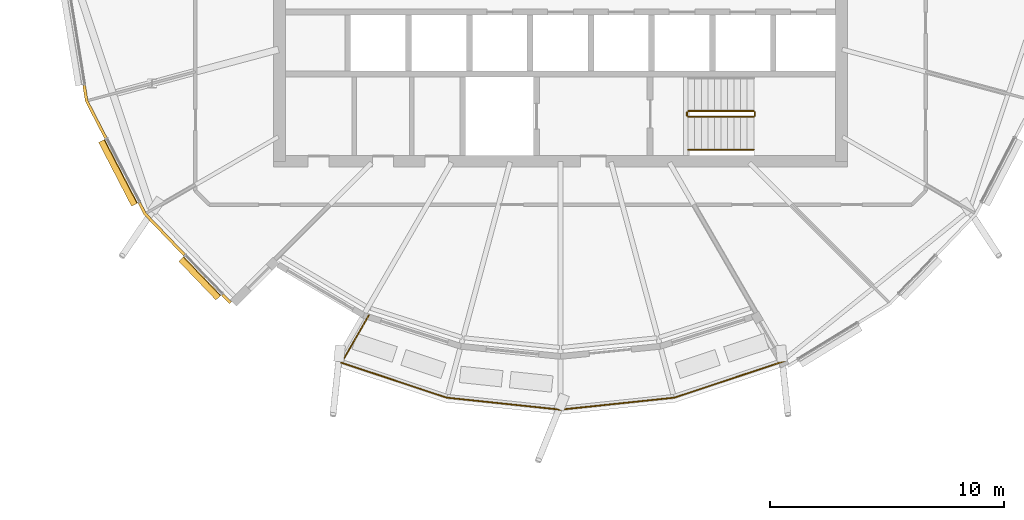
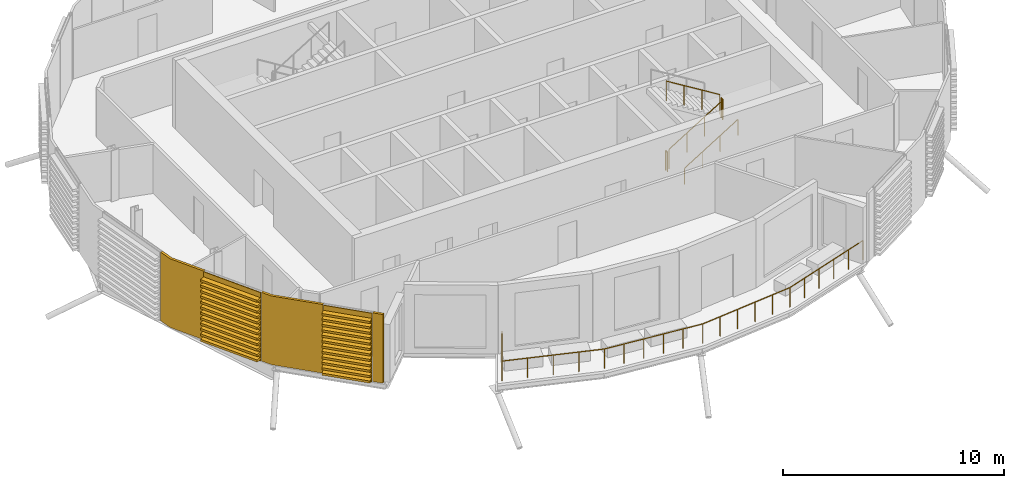
# One storey, part 34 of 41: 6 railings, 5 coverings.
"""IFC4 building model written with IfcOpenShell, lengths in metres."""

from ifc_helpers import new_model, si_unit, direction, frame, origin, origin_2d, place, context, subcontext, project, spatial, polyline, circle, outline, extrude, material, layer, layer_set, material_profile, profile_set, type_object, element, save


model = new_model("IFC4")

# Units and contexts
model_context = context("Model", 3, precision=1e-05, world=origin(), true_north=direction((0.0, 1.0)))
body_context = subcontext(model_context, "Body", "Model", "MODEL_VIEW")
ifc_project = project(units=[si_unit("LENGTHUNIT", "METRE"), si_unit("AREAUNIT", "SQUARE_METRE"), si_unit("VOLUMEUNIT", "CUBIC_METRE"), si_unit("PLANEANGLEUNIT", "RADIAN"), si_unit("MASSUNIT", "GRAM", prefix="KILO")], contexts=[model_context])

# Site, building, storey
site_placement = place(None, origin())
site = spatial("IfcSite", under=ifc_project, at=site_placement, CompositionType="ELEMENT")
building_placement = place(site_placement, origin())
building = spatial("IfcBuilding", under=site, at=building_placement, Name="Rimbun Link Towers", CompositionType="ELEMENT")
storey_placement = place(building_placement, frame((0.0, 0.0, 210.5)))
storey = spatial("IfcBuildingStorey", under=building, at=storey_placement, Name="L51", CompositionType="ELEMENT", Elevation=210.5)

# Railing
ifc_material_1 = material(Name="Stainless steel grade 316", Category="steel")
railing_type_1 = type_object("IfcRailingType", Name="GUARD stainless rail and posts", PredefinedType="GUARDRAIL", material=ifc_material_1)
railing_1_placement = place(storey_placement, frame((-39.926513671875, -14.56201171875, 0.0)))
element("IfcRailing", 1, at=railing_1_placement, inside=storey, type_object=railing_type_1, Name="GUARD", PredefinedType="GUARDRAIL", context=body_context, shape_type="SweptSolid", body=[
    extrude(circle(Radius=0.02392578125, at=origin_2d()), frame((0.0, 0.0, 1.076171875), z_axis=(-0.499997709859, -0.866026725994, 0.0), x_axis=(0.866026725994, -0.499997709859, 0.0)), (0.0, 0.0, 1.0), 2.3544921875),
    extrude(circle(Radius=0.02392578125, at=origin_2d()), frame((-1.17724609375, -2.0390625, 1.076171875), z_axis=(0.949233375483, -0.314572724293, 0.0), x_axis=(0.314572724293, 0.949233375483, 0.0)), (0.0, 0.0, 1.0), 4.736572265625),
    extrude(circle(Radius=0.02392578125, at=origin_2d()), frame((3.31884765625, -3.529052734375, 1.076171875), z_axis=(0.994502439864, -0.104713404609, 0.0), x_axis=(0.104713404609, 0.994502439864, 0.0)), (0.0, 0.0, 1.0), 4.884521484375),
    extrude(circle(Radius=0.02392578125, at=origin_2d()), frame((8.176513671875, -4.04052734375, 1.076171875), z_axis=(0.994502439864, 0.104713404609, 0.0), x_axis=(-0.104713404609, 0.994502439864, 0.0)), (0.0, 0.0, 1.0), 4.884521484375),
    extrude(circle(Radius=0.02392578125, at=origin_2d()), frame((13.0341796875, -3.529052734375, 1.076171875), z_axis=(0.949235605079, 0.314565996335, 0.0), x_axis=(-0.314565996335, 0.949235605079, 0.0)), (0.0, 0.0, 1.0), 4.98193359375),
    extrude(circle(Radius=0.02099609375, at=origin_2d()), origin(), (0.0, 0.0, 1.0), 1.052001953125),
    extrude(circle(Radius=0.02099609375, at=origin_2d()), frame((-0.588623046875, -1.01953125, 0.0)), (0.0, 0.0, 1.0), 1.052001953125),
    extrude(circle(Radius=0.02099609375, at=origin_2d()), frame((-1.17724609375, -2.0390625, 0.0)), (0.0, 0.0, 1.0), 1.052001953125),
    extrude(circle(Radius=0.02099609375, at=origin_2d()), frame((-0.05322265625, -2.41162109375, 0.0)), (0.0, 0.0, 1.0), 1.052001953125),
    extrude(circle(Radius=0.02099609375, at=origin_2d()), frame((1.07080078125, -2.7841796875, 0.0)), (0.0, 0.0, 1.0), 1.052001953125),
    extrude(circle(Radius=0.02099609375, at=origin_2d()), frame((2.19482421875, -3.156494140625, 0.0)), (0.0, 0.0, 1.0), 1.052001953125),
    extrude(circle(Radius=0.02099609375, at=origin_2d()), frame((3.31884765625, -3.529052734375, 0.0)), (0.0, 0.0, 1.0), 1.052001953125),
    extrude(circle(Radius=0.02099609375, at=origin_2d()), frame((4.290283203125, -3.63134765625, 0.0)), (0.0, 0.0, 1.0), 1.052001953125),
    extrude(circle(Radius=0.02099609375, at=origin_2d()), frame((5.261962890625, -3.733642578125, 0.0)), (0.0, 0.0, 1.0), 1.052001953125),
    extrude(circle(Radius=0.02099609375, at=origin_2d()), frame((6.2333984375, -3.8359375, 0.0)), (0.0, 0.0, 1.0), 1.052001953125),
    extrude(circle(Radius=0.02099609375, at=origin_2d()), frame((7.205078125, -3.938232421875, 0.0)), (0.0, 0.0, 1.0), 1.052001953125),
    extrude(circle(Radius=0.02099609375, at=origin_2d()), frame((8.176513671875, -4.04052734375, 0.0)), (0.0, 0.0, 1.0), 1.052001953125),
    extrude(circle(Radius=0.02099609375, at=origin_2d()), frame((9.14794921875, -3.938232421875, 0.0)), (0.0, 0.0, 1.0), 1.052001953125),
    extrude(circle(Radius=0.02099609375, at=origin_2d()), frame((10.11962890625, -3.8359375, 0.0)), (0.0, 0.0, 1.0), 1.052001953125),
    extrude(circle(Radius=0.02099609375, at=origin_2d()), frame((11.091064453125, -3.733642578125, 0.0)), (0.0, 0.0, 1.0), 1.052001953125),
    extrude(circle(Radius=0.02099609375, at=origin_2d()), frame((12.062744140625, -3.63134765625, 0.0)), (0.0, 0.0, 1.0), 1.052001953125),
    extrude(circle(Radius=0.02099609375, at=origin_2d()), frame((13.0341796875, -3.529052734375, 0.0)), (0.0, 0.0, 1.0), 1.052001953125),
    extrude(circle(Radius=0.02099609375, at=origin_2d()), frame((13.97998046875, -3.215576171875, 0.0)), (0.0, 0.0, 1.0), 1.052001953125),
    extrude(circle(Radius=0.02099609375, at=origin_2d()), frame((14.92578125, -2.902099609375, 0.0)), (0.0, 0.0, 1.0), 1.052001953125),
    extrude(circle(Radius=0.02099609375, at=origin_2d()), frame((15.87158203125, -2.5888671875, 0.0)), (0.0, 0.0, 1.0), 1.052001953125),
    extrude(circle(Radius=0.02099609375, at=origin_2d()), frame((16.8173828125, -2.275390625, 0.0)), (0.0, 0.0, 1.0), 1.052001953125),
    extrude(circle(Radius=0.02099609375, at=origin_2d()), frame((17.76318359375, -1.9619140625, 0.0)), (0.0, 0.0, 1.0), 1.052001953125),
])

# Coverings
ifc_material_2 = material(Name="Terracotta", Category="masonry")
ifc_layer = layer(ifc_material_2, 0.1201171875)
ifc_layer_set = layer_set([ifc_layer], Name="LINK PIER terracotta cladding 120")
covering_type_1 = type_object("IfcCoveringType", Name="LINK PIER terracotta cladding 120", PredefinedType="CLADDING", material=ifc_layer_set)
covering_1_placement = place(storey_placement, origin())
element("IfcCovering", 2, at=covering_1_placement, inside=storey, type_object=covering_type_1, Name="LINK PIER cladding", PredefinedType="CLADDING", context=body_context, shape_type="SweptSolid", body=[
    extrude(outline(polyline([(-51.10791015625, -6.976806640625), (-51.92138671875, -5.40478515625), (-52.030029296875, -4.743896484375), (-52.1484375, -4.76318359375), (-52.03662109375, -5.443115234375), (-51.214599609375, -7.031982421875), (-51.10791015625, -6.976806640625)])), origin(), (0.0, 0.0, 1.0), 3.800048828125),
])
covering_2_placement = place(storey_placement, origin())
element("IfcCovering", 3, at=covering_2_placement, inside=storey, type_object=covering_type_1, Name="LINK PIER cladding", PredefinedType="CLADDING", context=body_context, shape_type="SweptSolid", body=[
    extrude(outline(polyline([(-45.797119140625, -14.004638671875), (-46.13623046875, -13.651123046875), (-46.222900390625, -13.734130859375), (-45.8837890625, -14.087890625), (-45.797119140625, -14.004638671875)])), origin(), (0.0, 0.0, 1.0), 3.800048828125),
])
covering_3_placement = place(storey_placement, origin())
element("IfcCovering", 4, at=covering_3_placement, inside=storey, type_object=covering_type_1, Name="LINK PIER cladding", PredefinedType="CLADDING", context=body_context, shape_type="SweptSolid", body=[
    extrude(outline(polyline([(-47.760009765625, -11.957275390625), (-49.434814453125, -10.21044921875), (-49.673828125, -9.74853515625), (-49.780517578125, -9.8037109375), (-49.533447265625, -10.281005859375), (-47.8466796875, -12.040283203125), (-47.760009765625, -11.957275390625)])), origin(), (0.0, 0.0, 1.0), 3.800048828125),
])

# Railings
ifc_material_3 = material(Name="Stainless steel grade 316", Category="steel")
railing_type_2 = type_object("IfcRailingType", Name="Stair guard", PredefinedType="GUARDRAIL", material=ifc_material_3)
railing_2_placement = place(storey_placement, frame((-26.300048828125, -6.10009765625, 0.172607421875)))
element("IfcRailing", 5, at=railing_2_placement, inside=storey, type_object=railing_type_2, Name="L51 ST2 stair guard 1", PredefinedType="GUARDRAIL", context=body_context, shape_type="SweptSolid", body=[
    extrude(circle(Radius=0.02392578125, at=origin_2d()), frame((0.0, 0.0, 1.076171875), z_axis=(0.851089632645, 0.0, 0.525020415988), x_axis=(0.0, 1.0, 0.0)), (0.0, 0.0, 1.0), 3.2900390625),
    extrude(circle(Radius=0.02099609375, at=origin_2d()), origin(), (0.0, 0.0, 1.0), 1.052001953125),
    extrude(circle(Radius=0.02099609375, at=origin_2d()), frame((0.933349609375, 0.0, 0.57568359375)), (0.0, 0.0, 1.0), 1.052001953125),
    extrude(circle(Radius=0.02099609375, at=origin_2d()), frame((1.86669921875, 0.0, 1.151611328125)), (0.0, 0.0, 1.0), 1.052001953125),
    extrude(circle(Radius=0.02099609375, at=origin_2d()), frame((2.800048828125, 0.0, 1.727294921875)), (0.0, 0.0, 1.0), 1.052001953125),
])
railing_3_placement = place(storey_placement, frame((-23.449951171875, -6.050048828125, 1.89990234375)))
element("IfcRailing", 6, at=railing_3_placement, inside=storey, type_object=railing_type_2, Name="L51 ST2 stair guard 2", PredefinedType="GUARDRAIL", context=body_context, shape_type="SweptSolid", body=[
    extrude(circle(Radius=0.02392578125, at=origin_2d()), frame((0.0, 0.0, 1.076171875), z_axis=(0.0, 1.0, 0.0), x_axis=(-1.0, 0.0, 0.0)), (0.0, 0.0, 1.0), 0.150146484375),
    extrude(circle(Radius=0.02099609375, at=origin_2d()), origin(), (0.0, 0.0, 1.0), 1.052001953125),
    extrude(circle(Radius=0.02099609375, at=origin_2d()), frame((0.0, 0.150146484375, 0.0)), (0.0, 0.0, 1.0), 1.052001953125),
])
railing_4_placement = place(storey_placement, frame((-23.5, -5.85009765625, 2.07275390625)))
element("IfcRailing", 7, at=railing_4_placement, inside=storey, type_object=railing_type_2, Name="L51 ST2 stair guard 3", PredefinedType="GUARDRAIL", context=body_context, shape_type="SweptSolid", body=[
    extrude(circle(Radius=0.02392578125, at=origin_2d()), frame((0.0, 0.0, 1.076171875), z_axis=(-0.851089632645, 0.0, 0.525020415988), x_axis=(0.0, -1.0, 0.0)), (0.0, 0.0, 1.0), 3.2900390625),
    extrude(circle(Radius=0.02099609375, at=origin_2d()), origin(), (0.0, 0.0, 1.0), 1.052001953125),
    extrude(circle(Radius=0.02099609375, at=origin_2d()), frame((-0.933349609375, 0.0, 0.57568359375)), (0.0, 0.0, 1.0), 1.052001953125),
    extrude(circle(Radius=0.02099609375, at=origin_2d()), frame((-1.86669921875, 0.0, 1.151611328125)), (0.0, 0.0, 1.0), 1.052001953125),
    extrude(circle(Radius=0.02099609375, at=origin_2d()), frame((-2.800048828125, 0.0, 1.727294921875)), (0.0, 0.0, 1.0), 1.052001953125),
])
railing_5_placement = place(storey_placement, frame((-26.35009765625, -6.050048828125, 0.0)))
element("IfcRailing", 8, at=railing_5_placement, inside=storey, type_object=railing_type_2, Name="L51 ST2 stair guard 4", PredefinedType="GUARDRAIL", context=body_context, shape_type="SweptSolid", body=[
    extrude(circle(Radius=0.02392578125, at=origin_2d()), frame((0.0, 0.0, 1.076171875), z_axis=(0.0, 1.0, 0.0), x_axis=(-1.0, 0.0, 0.0)), (0.0, 0.0, 1.0), 0.150146484375),
    extrude(circle(Radius=0.02099609375, at=origin_2d()), origin(), (0.0, 0.0, 1.0), 1.052001953125),
    extrude(circle(Radius=0.02099609375, at=origin_2d()), frame((0.0, 0.150146484375, 0.0)), (0.0, 0.0, 1.0), 1.052001953125),
])
ifc_material_4 = material(Name="Stainless steel grade 316", Category="steel")
railing_type_3 = type_object("IfcRailingType", Name="Stair handrail", PredefinedType="HANDRAIL", material=ifc_material_4)
railing_6_placement = place(storey_placement, frame((-26.300048828125, -7.5, 0.172607421875)))
element("IfcRailing", 9, at=railing_6_placement, inside=storey, type_object=railing_type_3, Name="L51 ST2 stair handrail 1", PredefinedType="HANDRAIL", context=body_context, shape_type="SweptSolid", body=[
    extrude(circle(Radius=0.02392578125, at=origin_2d()), frame((0.0, 0.0, 0.8759765625), z_axis=(0.851089632645, 0.0, 0.525020415988), x_axis=(0.0, 1.0, 0.0)), (0.0, 0.0, 1.0), 3.2900390625),
    extrude(circle(Radius=0.02099609375, at=origin_2d()), origin(), (0.0, 0.0, 1.0), 0.851806640625),
    extrude(circle(Radius=0.02099609375, at=origin_2d()), frame((0.933349609375, 0.0, 0.57568359375)), (0.0, 0.0, 1.0), 0.851806640625),
    extrude(circle(Radius=0.02099609375, at=origin_2d()), frame((1.86669921875, 0.0, 1.151611328125)), (0.0, 0.0, 1.0), 0.851806640625),
    extrude(circle(Radius=0.02099609375, at=origin_2d()), frame((2.800048828125, 0.0, 1.727294921875)), (0.0, 0.0, 1.0), 0.851806640625),
])

# Coverings
ifc_material_5 = material(Name="Terracotta", Category="masonry")
ifc_material_profile = material_profile(ifc_material_5, outline(polyline([(0.123046875, 0.0), (0.1630859375, 0.0), (0.1630859375, 0.10009765625), (0.423095703125, 0.10009765625), (0.423095703125, 0.219970703125), (0.1630859375, 0.219970703125), (0.1630859375, 0.39990234375), (0.423095703125, 0.39990234375), (0.423095703125, 0.52001953125), (0.1630859375, 0.52001953125), (0.1630859375, 0.699951171875), (0.423095703125, 0.699951171875), (0.423095703125, 0.820068359375), (0.1630859375, 0.820068359375), (0.1630859375, 1.0), (0.423095703125, 1.0), (0.423095703125, 1.1201171875), (0.1630859375, 1.1201171875), (0.1630859375, 1.300048828125), (0.423095703125, 1.300048828125), (0.423095703125, 1.419921875), (0.1630859375, 1.419921875), (0.1630859375, 1.60009765625), (0.423095703125, 1.60009765625), (0.423095703125, 1.719970703125), (0.1630859375, 1.719970703125), (0.1630859375, 1.89990234375), (0.423095703125, 1.89990234375), (0.423095703125, 2.02001953125), (0.1630859375, 2.02001953125), (0.1630859375, 2.199951171875), (0.423095703125, 2.199951171875), (0.423095703125, 2.320068359375), (0.1630859375, 2.320068359375), (0.1630859375, 2.5), (0.423095703125, 2.5), (0.423095703125, 2.6201171875), (0.1630859375, 2.6201171875), (0.1630859375, 2.800048828125), (0.423095703125, 2.800048828125), (0.423095703125, 2.919921875), (0.1630859375, 2.919921875), (0.1630859375, 3.10009765625), (0.423095703125, 3.10009765625), (0.423095703125, 3.219970703125), (0.1630859375, 3.219970703125), (0.1630859375, 3.39990234375), (0.423095703125, 3.39990234375), (0.423095703125, 3.52001953125), (0.1630859375, 3.52001953125), (0.1630859375, 3.800048828125), (0.123046875, 3.800048828125), (0.123046875, 0.0)])), Name="BAGUETTE 120X300")
ifc_profile_set = profile_set([ifc_material_profile], Name="Terracotta")
covering_type_2 = type_object("IfcCoveringType", Name="TERRACOTTA BAGUETTE 120X300 H3800", PredefinedType="CLADDING", material=ifc_profile_set)
covering_4_placement = place(storey_placement, frame((-49.687744140625, -9.721923828125, 0.0), z_axis=(-0.459550949069, 0.888151408945, 0.0), x_axis=(-0.888151408945, -0.459550949069, 0.0)))
element("IfcCovering", 10, at=covering_4_placement, inside=storey, type_object=covering_type_2, Name="TERRACOTTA BAGUETTE", PredefinedType="CLADDING", context=body_context, shape_type="SweptSolid", body=[
    extrude(outline(polyline([(0.123046875, 0.0), (0.1630859375, 0.0), (0.1630859375, 0.10009765625), (0.423095703125, 0.10009765625), (0.423095703125, 0.219970703125), (0.1630859375, 0.219970703125), (0.1630859375, 0.39990234375), (0.423095703125, 0.39990234375), (0.423095703125, 0.52001953125), (0.1630859375, 0.52001953125), (0.1630859375, 0.699951171875), (0.423095703125, 0.699951171875), (0.423095703125, 0.820068359375), (0.1630859375, 0.820068359375), (0.1630859375, 1.0), (0.423095703125, 1.0), (0.423095703125, 1.1201171875), (0.1630859375, 1.1201171875), (0.1630859375, 1.300048828125), (0.423095703125, 1.300048828125), (0.423095703125, 1.419921875), (0.1630859375, 1.419921875), (0.1630859375, 1.60009765625), (0.423095703125, 1.60009765625), (0.423095703125, 1.719970703125), (0.1630859375, 1.719970703125), (0.1630859375, 1.89990234375), (0.423095703125, 1.89990234375), (0.423095703125, 2.02001953125), (0.1630859375, 2.02001953125), (0.1630859375, 2.199951171875), (0.423095703125, 2.199951171875), (0.423095703125, 2.320068359375), (0.1630859375, 2.320068359375), (0.1630859375, 2.5), (0.423095703125, 2.5), (0.423095703125, 2.6201171875), (0.1630859375, 2.6201171875), (0.1630859375, 2.800048828125), (0.423095703125, 2.800048828125), (0.423095703125, 2.919921875), (0.1630859375, 2.919921875), (0.1630859375, 3.10009765625), (0.423095703125, 3.10009765625), (0.423095703125, 3.219970703125), (0.1630859375, 3.219970703125), (0.1630859375, 3.39990234375), (0.423095703125, 3.39990234375), (0.423095703125, 3.52001953125), (0.1630859375, 3.52001953125), (0.1630859375, 3.800048828125), (0.123046875, 3.800048828125), (0.123046875, 0.0)])), origin(), (0.0, 0.0, 1.0), 3.060546875),
])
covering_5_placement = place(storey_placement, frame((-46.156982421875, -13.62939453125, 0.0), z_axis=(-0.692053780348, 0.721845942779, 0.0), x_axis=(-0.721845942779, -0.692053780348, 0.0)))
element("IfcCovering", 11, at=covering_5_placement, inside=storey, type_object=covering_type_2, Name="TERRACOTTA BAGUETTE", PredefinedType="CLADDING", context=body_context, shape_type="SweptSolid", body=[
    extrude(outline(polyline([(0.123046875, 0.0), (0.1630859375, 0.0), (0.1630859375, 0.10009765625), (0.423095703125, 0.10009765625), (0.423095703125, 0.219970703125), (0.1630859375, 0.219970703125), (0.1630859375, 0.39990234375), (0.423095703125, 0.39990234375), (0.423095703125, 0.52001953125), (0.1630859375, 0.52001953125), (0.1630859375, 0.699951171875), (0.423095703125, 0.699951171875), (0.423095703125, 0.820068359375), (0.1630859375, 0.820068359375), (0.1630859375, 1.0), (0.423095703125, 1.0), (0.423095703125, 1.1201171875), (0.1630859375, 1.1201171875), (0.1630859375, 1.300048828125), (0.423095703125, 1.300048828125), (0.423095703125, 1.419921875), (0.1630859375, 1.419921875), (0.1630859375, 1.60009765625), (0.423095703125, 1.60009765625), (0.423095703125, 1.719970703125), (0.1630859375, 1.719970703125), (0.1630859375, 1.89990234375), (0.423095703125, 1.89990234375), (0.423095703125, 2.02001953125), (0.1630859375, 2.02001953125), (0.1630859375, 2.199951171875), (0.423095703125, 2.199951171875), (0.423095703125, 2.320068359375), (0.1630859375, 2.320068359375), (0.1630859375, 2.5), (0.423095703125, 2.5), (0.423095703125, 2.6201171875), (0.1630859375, 2.6201171875), (0.1630859375, 2.800048828125), (0.423095703125, 2.800048828125), (0.423095703125, 2.919921875), (0.1630859375, 2.919921875), (0.1630859375, 3.10009765625), (0.423095703125, 3.10009765625), (0.423095703125, 3.219970703125), (0.1630859375, 3.219970703125), (0.1630859375, 3.39990234375), (0.423095703125, 3.39990234375), (0.423095703125, 3.52001953125), (0.1630859375, 3.52001953125), (0.1630859375, 3.800048828125), (0.123046875, 3.800048828125), (0.123046875, 0.0)])), origin(), (0.0, 0.0, 1.0), 2.286376953125),
])

save(model, "model.ifc")
